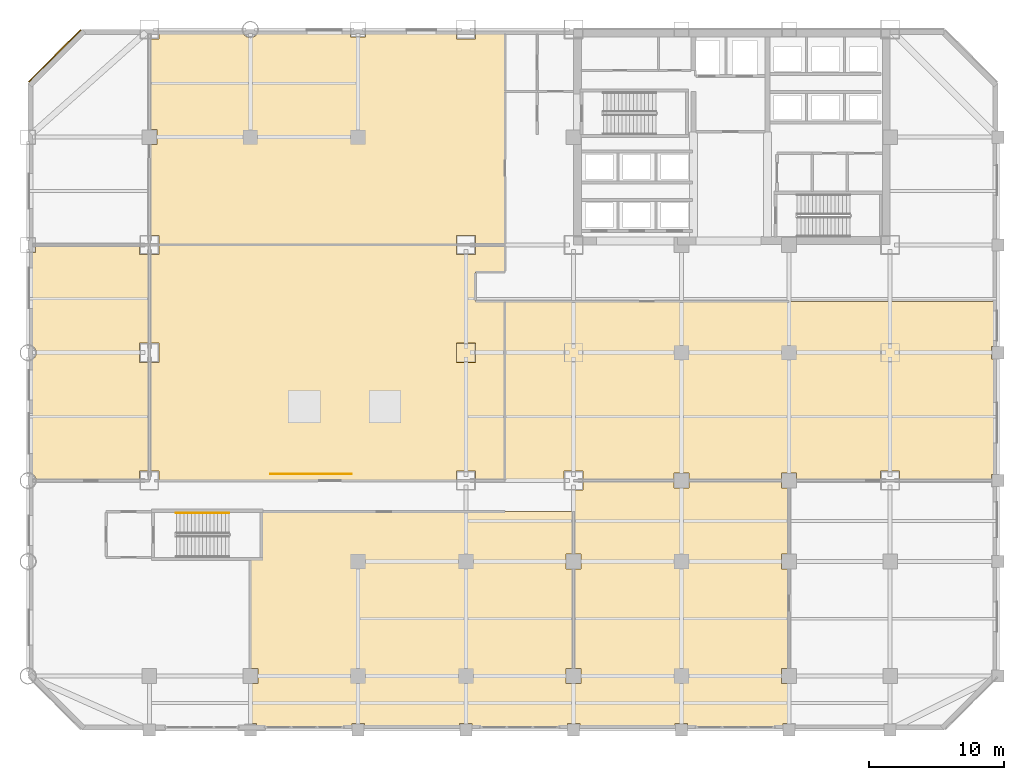
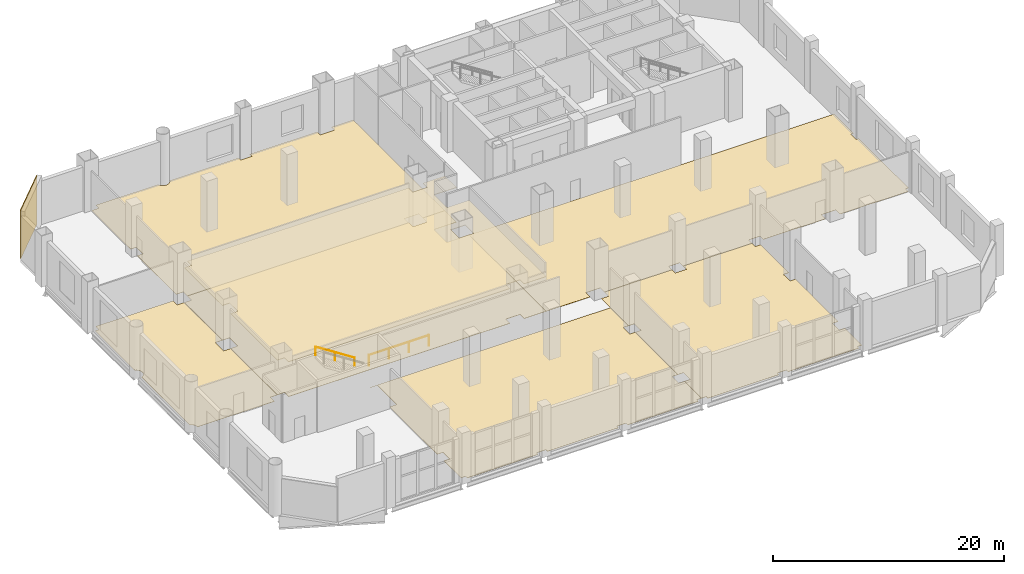
# One storey, part 16 of 18: 8 coverings, 2 railings.
"""IFC4 building model written with IfcOpenShell, lengths in metres."""

from ifc_helpers import new_model, si_unit, direction, frame, origin, origin_2d, place, context, subcontext, project, spatial, polyline, rectangle, circle, outline, extrude, material, layer, layer_set, type_object, element, save


model = new_model("IFC4")

# Units and contexts
model_context = context("Model", 3, precision=1e-05, world=origin(), true_north=direction((0.0, 1.0)))
body_context = subcontext(model_context, "Body", "Model", "MODEL_VIEW")
ifc_project = project(units=[si_unit("LENGTHUNIT", "METRE"), si_unit("AREAUNIT", "SQUARE_METRE"), si_unit("VOLUMEUNIT", "CUBIC_METRE"), si_unit("PLANEANGLEUNIT", "RADIAN"), si_unit("MASSUNIT", "GRAM", prefix="KILO")], contexts=[model_context])

# Site, building, storey
site_placement = place(None, origin())
site = spatial("IfcSite", under=ifc_project, at=site_placement, CompositionType="ELEMENT")
building_placement = place(site_placement, origin())
building = spatial("IfcBuilding", under=site, at=building_placement, Name="Qianrong Seaharbour Tower", CompositionType="ELEMENT")
storey_placement = place(building_placement, frame((0.0, 0.0, 6.0)))
storey = spatial("IfcBuildingStorey", under=building, at=storey_placement, Name="L02", CompositionType="ELEMENT", Elevation=6.0)

# Coverings
ifc_material_1 = material(Name="Perforated acoustic gypsum ceiling board")
ifc_layer_1 = layer(ifc_material_1, 0.050048828125)
ifc_layer_set_1 = layer_set([ifc_layer_1], Name="Perforated acoustic gypsum ceiling board")
covering_type_1 = type_object("IfcCoveringType", Name="COV-CEIL-GYPSUM-50", PredefinedType="CEILING", material=ifc_layer_set_1)
covering_1_placement = place(storey_placement, frame((0.0, 0.0, 3.64990234375)))
element("IfcCovering", 1, at=covering_1_placement, inside=storey, type_object=covering_type_1, Name="L02 Harbourside Cafe Acoustic Ceiling", PredefinedType="CEILING", context=body_context, shape_type="SweptSolid", body=[
    extrude(outline(polyline([(31.7900390625, 36.0), (31.7900390625, 35.2900390625), (33.2099609375, 35.2900390625), (33.2099609375, 36.0), (35.39990234375, 36.0), (35.39990234375, 34.0), (33.199951171875, 34.0), (33.199951171875, 31.800048828125), (35.39990234375, 31.800048828125), (35.39990234375, 18.5), (33.2099609375, 18.5), (33.2099609375, 19.2099609375), (31.7900390625, 19.2099609375), (31.7900390625, 18.5), (9.7099609375, 18.5), (9.7099609375, 19.2099609375), (9.0, 19.2099609375), (9.0, 27.2900390625), (9.7099609375, 27.2900390625), (9.7099609375, 28.7099609375), (9.0, 28.7099609375), (9.0, 35.2900390625), (9.7099609375, 35.2900390625), (9.7099609375, 36.0), (31.7900390625, 36.0)]), holes=[polyline([(31.7900390625, 27.2900390625), (33.2099609375, 27.2900390625), (33.2099609375, 28.7099609375), (31.7900390625, 28.7099609375), (31.7900390625, 27.2900390625)])]), origin(), (0.0, 0.0, 1.0), 0.050048828125),
])
ifc_material_2 = material(Name="Unitised red brick cladding on Precast concrete C45/55", Category="masonry")
ifc_layer_2 = layer(ifc_material_2, 0.080078125)
ifc_layer_set_2 = layer_set([ifc_layer_2], Name="Unitised red brick cladding on Precast concrete C45/55")
covering_type_2 = type_object("IfcCoveringType", Name="COV-CLAD-RED-BRICK-80", PredefinedType="CLADDING", material=ifc_layer_set_2)
covering_2_placement = place(storey_placement, frame((1.9716796875, 50.0283203125, 0.0), z_axis=(0.0, 0.0, 1.0), x_axis=(0.707106781187, 0.707106781187, 0.0)))
element("IfcCovering", 2, at=covering_2_placement, inside=storey, type_object=covering_type_2, Name="L02 Chamfer Corner Brick Cladding 01", PredefinedType="CLADDING", context=body_context, shape_type="SweptSolid", body=[
    extrude(rectangle(XDim=5.456787109375, YDim=0.080078125, at=origin_2d()), origin(), (0.0, 0.0, 1.0), 5.1201171875),
])
ifc_material_3 = material(Name="Acoustic modular carpet tile flooring")
ifc_layer_3 = layer(ifc_material_3, 0.02001953125)
ifc_layer_set_3 = layer_set([ifc_layer_3], Name="Acoustic modular carpet tile flooring")
covering_type_3 = type_object("IfcCoveringType", Name="COV-FLOOR-CARPET-20", PredefinedType="FLOORING", material=ifc_layer_set_3)
covering_3_placement = place(storey_placement, origin())
element("IfcCovering", 3, at=covering_3_placement, inside=storey, type_object=covering_type_3, Name="L02 Cafe Servery Kitchen Finish Flooring", PredefinedType="FLOORING", context=body_context, shape_type="SweptSolid", body=[
    extrude(outline(polyline([(0.610107421875, 18.5), (0.598388671875, 18.618896484375), (0.563720703125, 18.7333984375), (0.507080078125, 18.8388671875), (0.431396484375, 18.931396484375), (0.3388671875, 19.007080078125), (0.2333984375, 19.063720703125), (0.18505859375, 19.078369140625), (0.18505859375, 27.421630859375), (0.2333984375, 27.436279296875), (0.3388671875, 27.492919921875), (0.431396484375, 27.568603515625), (0.507080078125, 27.6611328125), (0.563720703125, 27.7666015625), (0.598388671875, 27.881103515625), (0.610107421875, 28.0), (0.598388671875, 28.118896484375), (0.563720703125, 28.2333984375), (0.507080078125, 28.3388671875), (0.431396484375, 28.431396484375), (0.3388671875, 28.507080078125), (0.2333984375, 28.563720703125), (0.18505859375, 28.578369140625), (0.18505859375, 35.43994140625), (0.56005859375, 35.43994140625), (0.56005859375, 36.0), (8.2900390625, 36.0), (8.2900390625, 35.2900390625), (9.0, 35.2900390625), (9.0, 28.7099609375), (8.2900390625, 28.7099609375), (8.2900390625, 27.2900390625), (9.0, 27.2900390625), (9.0, 19.2099609375), (8.2900390625, 19.2099609375), (8.2900390625, 18.5), (0.610107421875, 18.5)])), origin(), (0.0, 0.0, 1.0), 0.02001953125),
])
covering_4_placement = place(storey_placement, origin())
element("IfcCovering", 4, at=covering_4_placement, inside=storey, type_object=covering_type_3, Name="L02 Client Briefing Room Finish Flooring", PredefinedType="FLOORING", context=body_context, shape_type="SweptSolid", body=[
    extrude(outline(polyline([(9.0, 43.43994140625), (9.56005859375, 43.43994140625), (9.56005859375, 44.56005859375), (9.0, 44.56005859375), (9.0, 51.2900390625), (9.7099609375, 51.2900390625), (9.7099609375, 51.81494140625), (15.921630859375, 51.81494140625), (15.936279296875, 51.7666015625), (15.992919921875, 51.6611328125), (16.068603515625, 51.568603515625), (16.1611328125, 51.492919921875), (16.2666015625, 51.436279296875), (16.381103515625, 51.401611328125), (16.5, 51.389892578125), (16.618896484375, 51.401611328125), (16.7333984375, 51.436279296875), (16.8388671875, 51.492919921875), (16.931396484375, 51.568603515625), (17.007080078125, 51.6611328125), (17.063720703125, 51.7666015625), (17.078369140625, 51.81494140625), (23.93994140625, 51.81494140625), (23.93994140625, 51.43994140625), (25.06005859375, 51.43994140625), (25.06005859375, 51.81494140625), (31.7900390625, 51.81494140625), (31.7900390625, 51.2900390625), (33.2099609375, 51.2900390625), (33.2099609375, 51.81494140625), (35.39990234375, 51.81494140625), (35.39990234375, 36.0), (33.2099609375, 36.0), (33.2099609375, 36.7099609375), (31.7900390625, 36.7099609375), (31.7900390625, 36.0), (9.7099609375, 36.0), (9.7099609375, 36.7099609375), (9.0, 36.7099609375), (9.0, 43.43994140625)])), origin(), (0.0, 0.0, 1.0), 0.02001953125),
])
covering_5_placement = place(storey_placement, origin())
element("IfcCovering", 5, at=covering_5_placement, inside=storey, type_object=covering_type_3, Name="L02 Harbour View Client Lounge Finish Flooring", PredefinedType="FLOORING", context=body_context, shape_type="SweptSolid", body=[
    extrude(outline(polyline([(71.81494140625, 31.800048828125), (71.81494140625, 28.4599609375), (71.5400390625, 28.4599609375), (71.5400390625, 27.5400390625), (71.81494140625, 27.5400390625), (71.81494140625, 18.9599609375), (71.5400390625, 18.9599609375), (71.5400390625, 18.5), (64.7099609375, 18.5), (64.7099609375, 19.2099609375), (63.2900390625, 19.2099609375), (63.2900390625, 18.5), (57.06005859375, 18.5), (57.06005859375, 19.06005859375), (55.93994140625, 19.06005859375), (55.93994140625, 18.5), (49.06005859375, 18.5), (49.06005859375, 19.06005859375), (47.93994140625, 19.06005859375), (47.93994140625, 18.5), (41.2099609375, 18.5), (41.2099609375, 19.2099609375), (39.7900390625, 19.2099609375), (39.7900390625, 18.5), (35.39990234375, 18.5), (35.39990234375, 31.800048828125), (71.81494140625, 31.800048828125)])), origin(), (0.0, 0.0, 1.0), 0.02001953125),
])
covering_6_placement = place(storey_placement, origin())
element("IfcCovering", 6, at=covering_6_placement, inside=storey, type_object=covering_type_3, Name="L02 Maritime Conference Room Finish Flooring", PredefinedType="FLOORING", context=body_context, shape_type="SweptSolid", body=[
    extrude(outline(polyline([(40.5, 13.06005859375), (39.93994140625, 13.06005859375), (39.93994140625, 11.93994140625), (40.5, 11.93994140625), (40.5, 4.56005859375), (39.93994140625, 4.56005859375), (39.93994140625, 3.43994140625), (40.5, 3.43994140625), (40.5, 0.4599609375), (40.0400390625, 0.4599609375), (40.0400390625, 0.18505859375), (32.9599609375, 0.18505859375), (32.9599609375, 0.4599609375), (32.0400390625, 0.4599609375), (32.0400390625, 0.18505859375), (24.9599609375, 0.18505859375), (24.9599609375, 0.4599609375), (24.0400390625, 0.4599609375), (24.0400390625, 0.18505859375), (16.9599609375, 0.18505859375), (16.9599609375, 0.4599609375), (16.5, 0.4599609375), (16.5, 3.43994140625), (17.06005859375, 3.43994140625), (17.06005859375, 4.56005859375), (16.5, 4.56005859375), (16.5, 12.800048828125), (17.199951171875, 12.800048828125), (17.199951171875, 16.14990234375), (16.5, 16.14990234375), (16.5, 16.199951171875), (40.5, 16.199951171875), (40.5, 13.06005859375)])), origin(), (0.0, 0.0, 1.0), 0.02001953125),
])
covering_7_placement = place(storey_placement, origin())
element("IfcCovering", 7, at=covering_7_placement, inside=storey, type_object=covering_type_3, Name="L02 Trade Delegation Briefing Room Finish Flooring", PredefinedType="FLOORING", context=body_context, shape_type="SweptSolid", body=[
    extrude(outline(polyline([(56.5, 13.06005859375), (55.93994140625, 13.06005859375), (55.93994140625, 11.93994140625), (56.5, 11.93994140625), (56.5, 4.56005859375), (55.93994140625, 4.56005859375), (55.93994140625, 3.43994140625), (56.5, 3.43994140625), (56.5, 0.4599609375), (56.0400390625, 0.4599609375), (56.0400390625, 0.18505859375), (48.9599609375, 0.18505859375), (48.9599609375, 0.4599609375), (48.0400390625, 0.4599609375), (48.0400390625, 0.18505859375), (40.9599609375, 0.18505859375), (40.9599609375, 0.4599609375), (40.5, 0.4599609375), (40.5, 3.43994140625), (41.06005859375, 3.43994140625), (41.06005859375, 4.56005859375), (40.5, 4.56005859375), (40.5, 11.93994140625), (41.06005859375, 11.93994140625), (41.06005859375, 13.06005859375), (40.5, 13.06005859375), (40.5, 17.7900390625), (41.2099609375, 17.7900390625), (41.2099609375, 18.5), (47.93994140625, 18.5), (47.93994140625, 17.93994140625), (49.06005859375, 17.93994140625), (49.06005859375, 18.5), (55.93994140625, 18.5), (55.93994140625, 17.93994140625), (56.5, 17.93994140625), (56.5, 13.06005859375)])), origin(), (0.0, 0.0, 1.0), 0.02001953125),
])
ifc_material_4 = material(Name="Honed granite stone flooring", Category="masonry")
ifc_layer_4 = layer(ifc_material_4, 0.030029296875)
ifc_layer_set_4 = layer_set([ifc_layer_4], Name="Honed granite stone flooring")
covering_type_4 = type_object("IfcCoveringType", Name="COV-FLOOR-GRANITE-30", PredefinedType="FLOORING", material=ifc_layer_set_4)
covering_8_placement = place(storey_placement, origin())
element("IfcCovering", 8, at=covering_8_placement, inside=storey, type_object=covering_type_4, Name="L02 Harbourside Cafe Finish Flooring", PredefinedType="FLOORING", context=body_context, shape_type="SweptSolid", body=[
    extrude(outline(polyline([(31.7900390625, 36.0), (31.7900390625, 35.2900390625), (33.2099609375, 35.2900390625), (33.2099609375, 36.0), (35.39990234375, 36.0), (35.39990234375, 34.0), (33.199951171875, 34.0), (33.199951171875, 31.800048828125), (35.39990234375, 31.800048828125), (35.39990234375, 18.5), (33.2099609375, 18.5), (33.2099609375, 19.2099609375), (31.7900390625, 19.2099609375), (31.7900390625, 18.5), (9.7099609375, 18.5), (9.7099609375, 19.2099609375), (9.0, 19.2099609375), (9.0, 27.2900390625), (9.7099609375, 27.2900390625), (9.7099609375, 28.7099609375), (9.0, 28.7099609375), (9.0, 35.2900390625), (9.7099609375, 35.2900390625), (9.7099609375, 36.0), (31.7900390625, 36.0)])), origin(), (0.0, 0.0, 1.0), 0.030029296875),
])

# Railings
ifc_material_5 = material(Name="Laminated safety glass and stainless steel SUS316L balustrade", Category="steel")
railing_type_1 = type_object("IfcRailingType", Name="RAIL-ATRIUM-BALUSTRADE-1220", PredefinedType="BALUSTRADE", material=ifc_material_5)
railing_1_placement = place(storey_placement, frame((18.0, 19.0, 0.0)))
element("IfcRailing", 9, at=railing_1_placement, inside=storey, type_object=railing_type_1, Name="L02 Foyer Feature Balustrade", PredefinedType="BALUSTRADE", context=body_context, shape_type="SweptSolid", body=[
    extrude(circle(Radius=0.02392578125, at=origin_2d()), frame((0.0, 0.0, 1.19580078125), z_axis=(1.0, 0.0, 0.0), x_axis=(0.0, 1.0, 0.0)), (0.0, 0.0, 1.0), 6.0),
    extrude(circle(Radius=0.02099609375, at=origin_2d()), origin(), (0.0, 0.0, 1.0), 1.171875),
    extrude(circle(Radius=0.02099609375, at=origin_2d()), frame((2.0, 0.0, 0.0)), (0.0, 0.0, 1.0), 1.171875),
    extrude(circle(Radius=0.02099609375, at=origin_2d()), frame((4.0, 0.0, 0.0)), (0.0, 0.0, 1.0), 1.171875),
    extrude(circle(Radius=0.02099609375, at=origin_2d()), frame((6.0, 0.0, 0.0)), (0.0, 0.0, 1.0), 1.171875),
])
ifc_material_6 = material(Name="Stainless steel SUS316L continuous handrail", Category="steel")
railing_type_2 = type_object("IfcRailingType", Name="RAIL-STAIR-HANDRAIL-900", PredefinedType="HANDRAIL", material=ifc_material_6)
railing_2_placement = place(storey_placement, frame((14.919921875, 16.10009765625, 2.8798828125)))
element("IfcRailing", 10, at=railing_2_placement, inside=storey, type_object=railing_type_2, Name="L02 PST-3 stair handrail 2", PredefinedType="HANDRAIL", context=body_context, shape_type="SweptSolid", body=[
    extrude(circle(Radius=0.02392578125, at=origin_2d()), frame((0.0, 0.0, 0.8759765625), z_axis=(-0.841171666519, 0.0, 0.540768182723), x_axis=(0.0, -1.0, 0.0)), (0.0, 0.0, 1.0), 4.66015625),
    extrude(circle(Radius=0.02099609375, at=origin_2d()), origin(), (0.0, 0.0, 1.0), 0.851806640625),
    extrude(circle(Radius=0.02099609375, at=origin_2d()), frame((-1.9599609375, 0.0, 1.260009765625)), (0.0, 0.0, 1.0), 0.851806640625),
    extrude(circle(Radius=0.02099609375, at=origin_2d()), frame((-3.919921875, 0.0, 2.52001953125)), (0.0, 0.0, 1.0), 0.851806640625),
])

save(model, "model.ifc")
